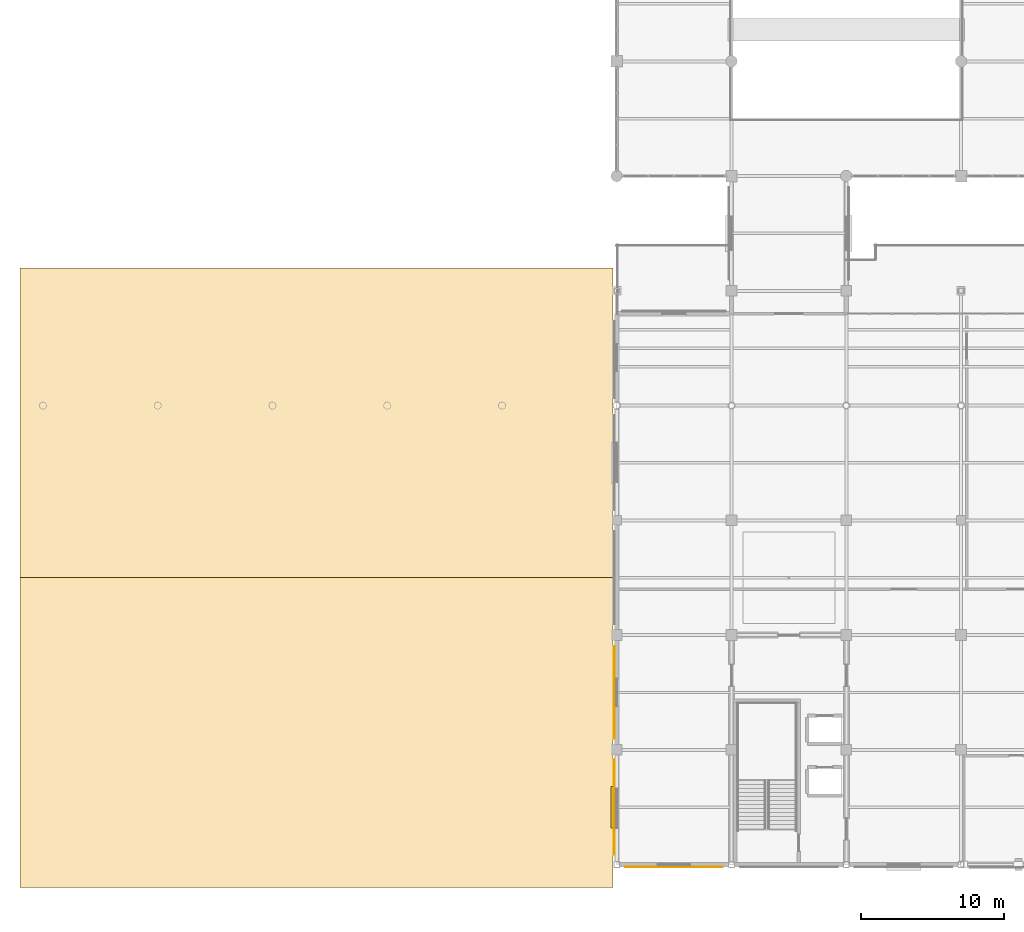
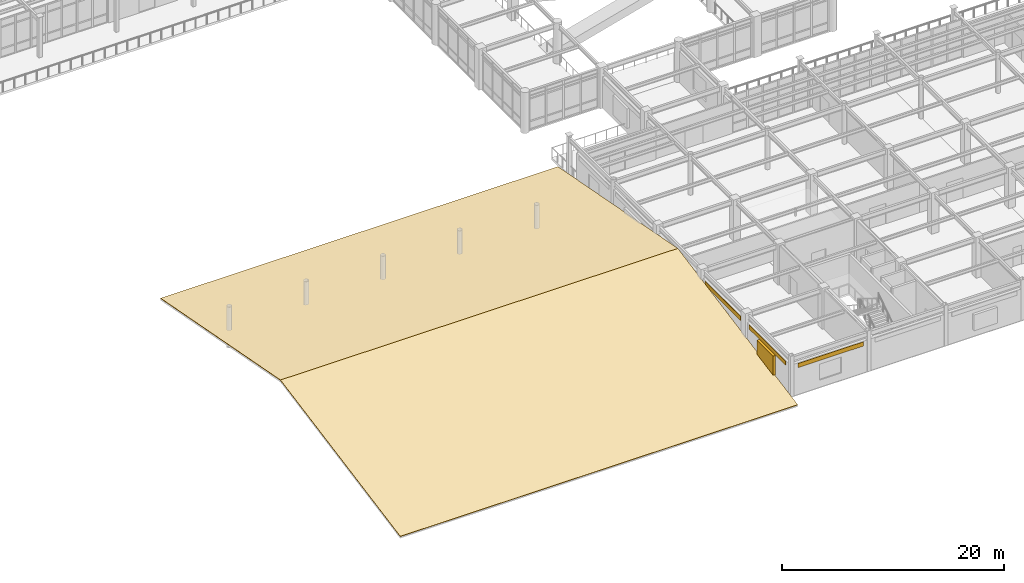
# One storey, part 99 of 111: 5 coverings, 1 shading device.
"""IFC4 building model written with IfcOpenShell, lengths in metres."""

from ifc_helpers import new_model, si_unit, direction, frame, origin, origin_2d, place, context, subcontext, project, spatial, polyline, rectangle, outline, extrude, material, layer, layer_set, type_object, element, save


model = new_model("IFC4")

# Units and contexts
model_context = context("Model", 3, precision=1e-05, world=origin(), true_north=direction((0.0, 1.0)))
body_context = subcontext(model_context, "Body", "Model", "MODEL_VIEW")
ifc_project = project(units=[si_unit("LENGTHUNIT", "METRE"), si_unit("AREAUNIT", "SQUARE_METRE"), si_unit("VOLUMEUNIT", "CUBIC_METRE"), si_unit("PLANEANGLEUNIT", "RADIAN"), si_unit("MASSUNIT", "GRAM", prefix="KILO")], contexts=[model_context])

# Site, building, storey
site_placement = place(None, origin())
site = spatial("IfcSite", under=ifc_project, at=site_placement, CompositionType="ELEMENT")
building_placement = place(site_placement, origin())
building = spatial("IfcBuilding", under=site, at=building_placement, Name="Solmirada Galleria", CompositionType="ELEMENT")
storey_placement = place(building_placement, frame((0.0, 0.0, 10.39990234375)))
storey = spatial("IfcBuildingStorey", under=building, at=storey_placement, Name="L02", CompositionType="ELEMENT", Elevation=10.39990234375)

# Coverings
ifc_material_1 = material(Name="Limestone cladding panels", Category="masonry")
ifc_layer_1 = layer(ifc_material_1, 0.044921875)
ifc_layer_set_1 = layer_set([ifc_layer_1], Name="Limestone cladding panels")
covering_type_1 = type_object("IfcCoveringType", Name="COV-CLAD-LIME", PredefinedType="CLADDING", material=ifc_layer_set_1)
covering_1_placement = place(storey_placement, frame((84.0, -0.177490234375, 2.990234375), z_axis=(0.0, 0.0, 1.0), x_axis=(-1.0, 0.0, 0.0)))
element("IfcCovering", 1, at=covering_1_placement, inside=storey, type_object=covering_type_1, Name="Postmodern facade cladding L02-134", PredefinedType="CLADDING", context=body_context, shape_type="SweptSolid", body=[
    extrude(rectangle(XDim=6.7939453125, YDim=0.044921875, at=origin_2d()), origin(), (0.0, 0.0, 1.0), 0.4599609375),
])
covering_2_placement = place(storey_placement, frame((79.822509765625, 12.0, 2.990234375), z_axis=(0.0, 0.0, 1.0), x_axis=(0.0, 1.0, 0.0)))
element("IfcCovering", 2, at=covering_2_placement, inside=storey, type_object=covering_type_1, Name="Postmodern facade cladding L02-136", PredefinedType="CLADDING", context=body_context, shape_type="SweptSolid", body=[
    extrude(rectangle(XDim=6.449951171875, YDim=0.044921875, at=origin_2d()), origin(), (0.0, 0.0, 1.0), 0.4599609375),
])
ifc_material_2 = material(Name="Glazed terracotta facade panels", Category="masonry")
ifc_layer_2 = layer(ifc_material_2, 0.0400390625)
ifc_layer_set_2 = layer_set([ifc_layer_2], Name="Glazed terracotta facade panels")
covering_type_2 = type_object("IfcCoveringType", Name="COV-CLAD-TERRA", PredefinedType="CLADDING", material=ifc_layer_set_2)
covering_3_placement = place(storey_placement, frame((79.824951171875, 4.0, 2.990234375), z_axis=(0.0, 0.0, 1.0), x_axis=(0.0, 1.0, 0.0)))
element("IfcCovering", 3, at=covering_3_placement, inside=storey, type_object=covering_type_2, Name="Postmodern facade cladding L02-135", PredefinedType="CLADDING", context=body_context, shape_type="SweptSolid", body=[
    extrude(rectangle(XDim=6.6220703125, YDim=0.0400390625, at=origin_2d()), origin(), (0.0, 0.0, 1.0), 0.4599609375),
])
ifc_material_3 = material(Name="Insulated TPO and standing-seam roofing membrane")
ifc_layer_3 = layer(ifc_material_3, 0.06005859375)
ifc_layer_set_3 = layer_set([ifc_layer_3], Name="Insulated TPO and standing-seam roofing membrane")
covering_type_3 = type_object("IfcCoveringType", Name="COV-ROOF-MEM", PredefinedType="ROOFING", material=ifc_layer_set_3)
for number, where, z_axis, x_axis, name in (
    (4, (38.39990234375, -1.60009765625, 0.06005859375), (0.0, -0.186488518805, 0.982457140212), (1.0, 0.0, 0.0), "Standing-seam roof covering ROOF-FH-SOUTH"),
    (5, (38.39990234375, 20.0, 4.16015625), (0.0, 0.186488518805, 0.982457140212), (1.0, 0.0, 0.0), "Standing-seam roof covering ROOF-FH-NORTH"),
):
    element("IfcCovering", number, at=place(storey_placement, frame(where, z_axis=z_axis, x_axis=x_axis)), inside=storey, type_object=covering_type_3, Name=name, PredefinedType="ROOFING", context=body_context, shape_type="SweptSolid", body=[
        extrude(outline(polyline([(0.0, 0.0), (41.35009765625, 0.0), (41.35009765625, 21.98579131053334), (0.0, 21.98579131053334), (0.0, 0.0)])), origin(), (0.0, 0.0, -1.0), 0.06005859375),
    ])

# Shading device
ifc_material_4 = material(Name="Extruded aluminium storm louvres", Category="aluminium")
shading_device_type = type_object("IfcShadingDeviceType", Name="SHD-JALOUSIE", PredefinedType="JALOUSIE", material=ifc_material_4)
shading_device_placement = place(storey_placement, frame((79.715087890625, 4.0, 0.800048828125), z_axis=(0.0, 0.0, 1.0), x_axis=(0.0, 1.0, 0.0)))
element("IfcShadingDevice", 6, at=shading_device_placement, inside=storey, type_object=shading_device_type, Name="Hurricane storm jalousie louvre 053", PredefinedType="JALOUSIE", context=body_context, shape_type="SweptSolid", body=[
    extrude(rectangle(XDim=2.909912109375, YDim=0.260009765625, at=origin_2d()), origin(), (0.0, 0.0, 1.0), 2.14990234375),
])

save(model, "model.ifc")
